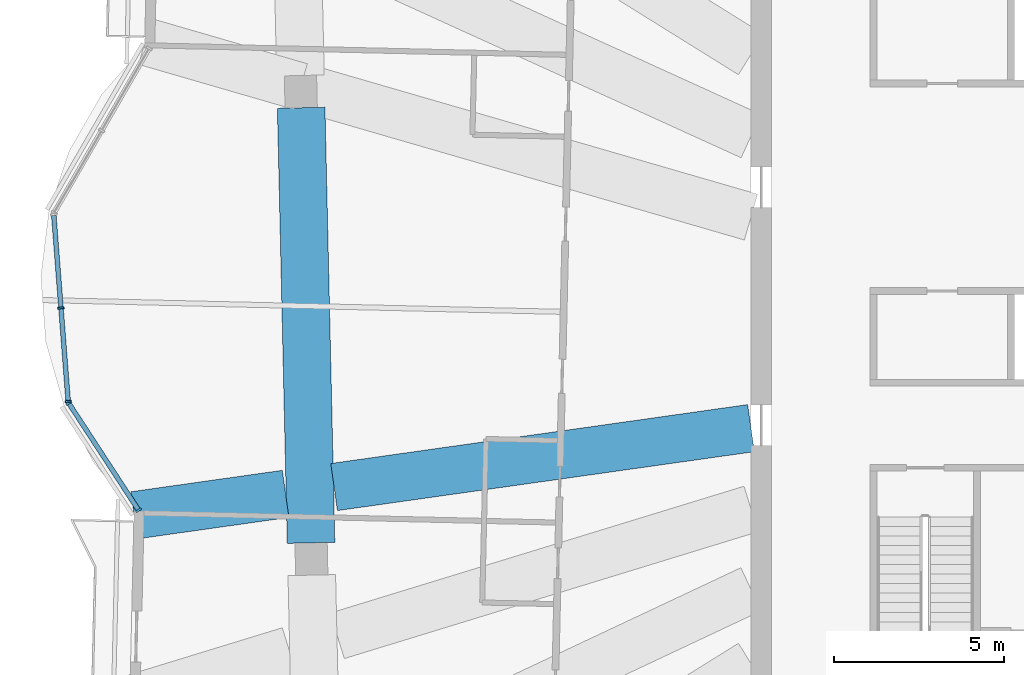
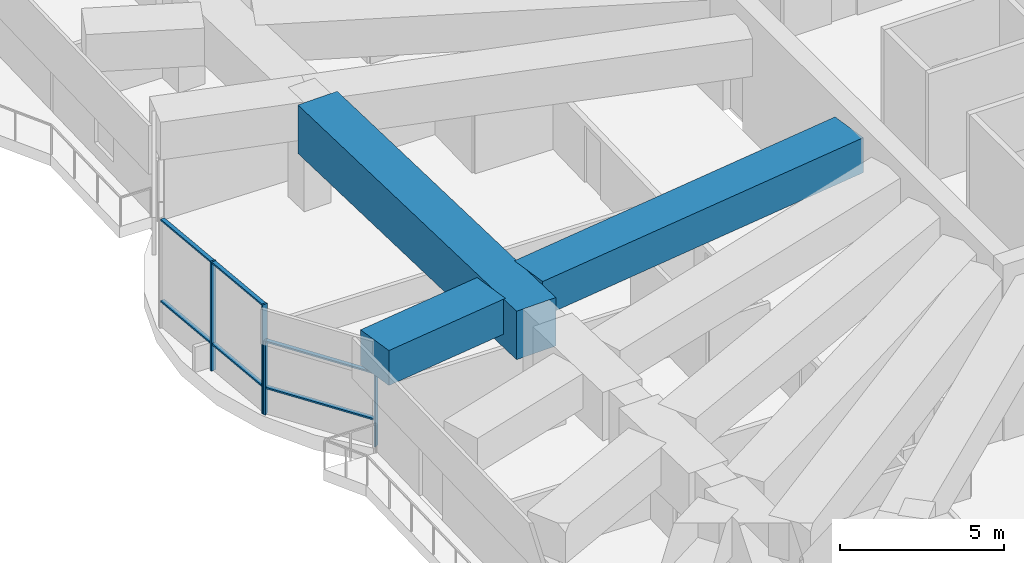
# One storey, part 2 of 20: 10 members, 3 beams, 2 elements without a shape of their own.
"""IFC4 building model written with IfcOpenShell, lengths in metres."""

from ifc_helpers import new_model, si_unit, direction, frame, origin, origin_2d, place, context, subcontext, project, spatial, rectangle, extrude, material, material_profile, profile_set, type_object, element, aggregate, save


model = new_model("IFC4")

# Units and contexts
model_context = context("Model", 3, precision=1e-05, world=origin(), true_north=direction((0.0, 1.0)))
body_context = subcontext(model_context, "Body", "Model", "MODEL_VIEW")
ifc_project = project(units=[si_unit("LENGTHUNIT", "METRE"), si_unit("AREAUNIT", "SQUARE_METRE"), si_unit("VOLUMEUNIT", "CUBIC_METRE"), si_unit("PLANEANGLEUNIT", "RADIAN"), si_unit("MASSUNIT", "GRAM", prefix="KILO")], contexts=[model_context])

# Site, building, storey
site_placement = place(None, origin())
site = spatial("IfcSite", under=ifc_project, at=site_placement, CompositionType="ELEMENT")
building_placement = place(site_placement, origin())
building = spatial("IfcBuilding", under=site, at=building_placement, Name="Mangrove Gate Tower", CompositionType="ELEMENT")
storey_placement = place(building_placement, frame((0.0, 0.0, 301.5)))
storey = spatial("IfcBuildingStorey", under=building, at=storey_placement, Name="L77", CompositionType="ELEMENT", Elevation=301.5)

# Curtain wall, members
ifc_material_1 = material(Name="Aluminium and glass curtain wall", Category="aluminium")
curtain_wall_type = type_object("IfcCurtainWallType", Name="Sky-lounge glazing wall", PredefinedType="NOTDEFINED", material=ifc_material_1)
curtain_wall_1_placement = place(storey_placement, origin())
curtain_wall_1 = element("IfcCurtainWall", 1, at=curtain_wall_1_placement, inside=storey, type_object=curtain_wall_type, Name="Sky-lounge glazing W9f2", PredefinedType="NOTDEFINED")
ifc_material_2 = material(Name="Aluminium alloy 6063-T6", Category="aluminium")
ifc_material_profile_1 = material_profile(ifc_material_2, rectangle(XDim=0.06005859375, YDim=0.179931640625, at=origin_2d()))
ifc_profile_set_1 = profile_set([ifc_material_profile_1], Name="Aluminium alloy 6063-T6")
member_type_1 = type_object("IfcMemberType", Name="Sky-lounge glazing mullion 60x180", PredefinedType="MULLION", material=ifc_profile_set_1)
member_1_placement = place(storey_placement, frame((-34.696044921875, 1.501220703125, 0.0), z_axis=(0.0, 0.0, 1.0), x_axis=(0.077023348212, -0.997029289354, 0.0)))
member_1 = element("IfcMember", 2, at=member_1_placement, type_object=member_type_1, Name="CWK mullion 2", PredefinedType="MULLION", context=body_context, shape_type="SweptSolid", body=[
    extrude(rectangle(XDim=0.06005859375, YDim=0.179931640625, at=origin_2d()), origin(), (0.0, 0.0, 1.0), 4.050048828125),
])
member_2_placement = place(storey_placement, frame((-34.483642578125, -1.247314453125, 0.0), z_axis=(0.0, 0.0, 1.0), x_axis=(0.077023348212, -0.997029289354, 0.0)))
member_2 = element("IfcMember", 3, at=member_2_placement, type_object=member_type_1, Name="CWK mullion 3", PredefinedType="MULLION", context=body_context, shape_type="SweptSolid", body=[
    extrude(rectangle(XDim=0.06005859375, YDim=0.179931640625, at=origin_2d()), origin(), (0.0, 0.0, 1.0), 4.050048828125),
])

curtain_wall_2_placement = place(storey_placement, origin())
curtain_wall_2 = element("IfcCurtainWall", 4, at=curtain_wall_2_placement, inside=storey, type_object=curtain_wall_type, Name="Sky-lounge glazing W9f3", PredefinedType="NOTDEFINED")
member_3_placement = place(storey_placement, frame((-34.46484375, -1.30224609375, 0.0), z_axis=(0.0, 0.0, 1.0), x_axis=(0.546235085162, -0.837631919006, 0.0)))
member_3 = element("IfcMember", 5, at=member_3_placement, type_object=member_type_1, Name="CWK mullion 1", PredefinedType="MULLION", context=body_context, shape_type="SweptSolid", body=[
    extrude(rectangle(XDim=0.06005859375, YDim=0.179931640625, at=origin_2d()), origin(), (0.0, 0.0, 1.0), 2.75),
])
member_4_placement = place(storey_placement, frame((-32.413330078125, -4.448486328125, 0.0), z_axis=(0.0, 0.0, 1.0), x_axis=(0.546235085162, -0.837631919006, 0.0)))
member_4 = element("IfcMember", 6, at=member_4_placement, type_object=member_type_1, Name="CWK mullion 2", PredefinedType="MULLION", context=body_context, shape_type="SweptSolid", body=[
    extrude(rectangle(XDim=0.06005859375, YDim=0.179931640625, at=origin_2d()), origin(), (0.0, 0.0, 1.0), 2.75),
])

# Member
ifc_material_3 = material(Name="Aluminium alloy 6063-T6", Category="aluminium")
ifc_material_profile_2 = material_profile(ifc_material_3, rectangle(XDim=0.06005859375, YDim=0.139892578125, at=origin_2d()))
ifc_profile_set_2 = profile_set([ifc_material_profile_2], Name="Aluminium alloy 6063-T6")
member_type_2 = type_object("IfcMemberType", Name="Sky-lounge glazing transom 60x140", PredefinedType="USERDEFINED", material=ifc_profile_set_2)
member_5_placement = place(storey_placement, frame((-34.906005859375, 4.219970703125, 1.0), z_axis=(0.077042645639, -0.997027798385, 0.0), x_axis=(0.0, 0.0, 1.0)))
member_5 = element("IfcMember", 7, at=member_5_placement, type_object=member_type_2, Name="CWK transom 1.2", ObjectType="TRANSOM", PredefinedType="USERDEFINED", context=body_context, shape_type="SweptSolid", body=[
    extrude(rectangle(XDim=0.06005859375, YDim=0.139892578125, at=origin_2d()), origin(), (0.0, 0.0, 1.0), 2.69677734375),
])

member_6_placement = place(storey_placement, frame((-34.906005859375, 4.219970703125, 4.02001953125), z_axis=(0.077042645639, -0.997027798385, 0.0), x_axis=(0.0, 0.0, 1.0)))
member_6 = element("IfcMember", 8, at=member_6_placement, type_object=member_type_2, Name="CWK transom 1.3", ObjectType="TRANSOM", PredefinedType="USERDEFINED", context=body_context, shape_type="SweptSolid", body=[
    extrude(rectangle(XDim=0.06005859375, YDim=0.139892578125, at=origin_2d()), origin(), (0.0, 0.0, 1.0), 2.69677734375),
])

member_7_placement = place(storey_placement, frame((-34.693603515625, 1.471435546875, 1.0), z_axis=(0.077042645639, -0.997027798385, 0.0), x_axis=(0.0, 0.0, 1.0)))
member_7 = element("IfcMember", 9, at=member_7_placement, type_object=member_type_2, Name="CWK transom 2.2", ObjectType="TRANSOM", PredefinedType="USERDEFINED", context=body_context, shape_type="SweptSolid", body=[
    extrude(rectangle(XDim=0.06005859375, YDim=0.139892578125, at=origin_2d()), origin(), (0.0, 0.0, 1.0), 2.69677734375),
])

member_8_placement = place(storey_placement, frame((-34.693603515625, 1.471435546875, 4.02001953125), z_axis=(0.077042645639, -0.997027798385, 0.0), x_axis=(0.0, 0.0, 1.0)))
member_8 = element("IfcMember", 10, at=member_8_placement, type_object=member_type_2, Name="CWK transom 2.3", ObjectType="TRANSOM", PredefinedType="USERDEFINED", context=body_context, shape_type="SweptSolid", body=[
    extrude(rectangle(XDim=0.06005859375, YDim=0.139892578125, at=origin_2d()), origin(), (0.0, 0.0, 1.0), 2.69677734375),
])

aggregate(curtain_wall_1, [member_1, member_2, member_5, member_6, member_7, member_8])

member_9_placement = place(storey_placement, frame((-34.448486328125, -1.327392578125, 1.0), z_axis=(0.546211360714, -0.837647389674, 0.0), x_axis=(0.0, 0.0, 1.0)))
member_9 = element("IfcMember", 11, at=member_9_placement, type_object=member_type_2, Name="CWK transom 1.2", ObjectType="TRANSOM", PredefinedType="USERDEFINED", context=body_context, shape_type="SweptSolid", body=[
    extrude(rectangle(XDim=0.06005859375, YDim=0.139892578125, at=origin_2d()), origin(), (0.0, 0.0, 1.0), 3.696044921875),
])

member_10_placement = place(storey_placement, frame((-34.448486328125, -1.327392578125, 2.719970703125), z_axis=(0.546211360714, -0.837647389674, 0.0), x_axis=(0.0, 0.0, 1.0)))
member_10 = element("IfcMember", 12, at=member_10_placement, type_object=member_type_2, Name="CWK transom 1.3", ObjectType="TRANSOM", PredefinedType="USERDEFINED", context=body_context, shape_type="SweptSolid", body=[
    extrude(rectangle(XDim=0.06005859375, YDim=0.139892578125, at=origin_2d()), origin(), (0.0, 0.0, 1.0), 3.696044921875),
])

aggregate(curtain_wall_2, [member_3, member_4, member_9, member_10])

# Beams
ifc_material_4 = material(Name="Concrete C50/60", Category="concrete")
ifc_material_profile_3 = material_profile(ifc_material_4, rectangle(XDim=1.39990234375, YDim=1.300048828125, at=origin_2d()))
ifc_profile_set_3 = profile_set([ifc_material_profile_3], Name="Concrete C50/60")
beam_type_1 = type_object("IfcBeamType", Name="Transfer girder RC 1400x1300 C50/60", PredefinedType="BEAM", material=ifc_profile_set_3)
beam_1_placement = place(storey_placement, frame((-14.39990234375, -2.03466796875, 3.39990234375), z_axis=(-0.990166360634, -0.139894882928, 0.0), x_axis=(0.139894882928, -0.990166360634, 0.0)))
element("IfcBeam", 13, at=beam_1_placement, inside=storey, type_object=beam_type_1, Name="Transfer girder L77 00", PredefinedType="BEAM", context=body_context, shape_type="SweptSolid", body=[
    extrude(rectangle(XDim=1.39990234375, YDim=1.300048828125, at=origin_2d()), origin(), (0.0, 0.0, 1.0), 12.3837890625),
])
beam_2_placement = place(storey_placement, frame((-28.087890625, -3.968505859375, 3.39990234375), z_axis=(-0.990163191428, -0.139917312514, 0.0), x_axis=(0.139917312514, -0.990163191428, 0.0)))
element("IfcBeam", 14, at=beam_2_placement, inside=storey, type_object=beam_type_1, Name="Transfer cantilever girder L77 00", PredefinedType="BEAM", context=body_context, shape_type="SweptSolid", body=[
    extrude(rectangle(XDim=1.39990234375, YDim=1.300048828125, at=origin_2d()), origin(), (0.0, 0.0, 1.0), 4.5),
])
ifc_material_5 = material(Name="Concrete C50/60", Category="concrete")
ifc_material_profile_4 = material_profile(ifc_material_5, rectangle(XDim=1.39990234375, YDim=1.800048828125, at=origin_2d()))
ifc_profile_set_4 = profile_set([ifc_material_profile_4], Name="Concrete C50/60")
beam_type_2 = type_object("IfcBeamType", Name="Transfer girder RC 1400x1800 C50/60", PredefinedType="BEAM", material=ifc_profile_set_4)
beam_3_placement = place(storey_placement, frame((-27.63037109375, 7.388916015625, 3.14990234375), z_axis=(0.0226962773, -0.999742406321, 0.0), x_axis=(0.999742406321, 0.0226962773, 0.0)))
element("IfcBeam", 15, at=beam_3_placement, inside=storey, type_object=beam_type_2, Name="Transfer ring girder L77 33", PredefinedType="BEAM", context=body_context, shape_type="SweptSolid", body=[
    extrude(rectangle(XDim=1.39990234375, YDim=1.800048828125, at=origin_2d()), origin(), (0.0, 0.0, 1.0), 12.80078125),
])

save(model, "model.ifc")
